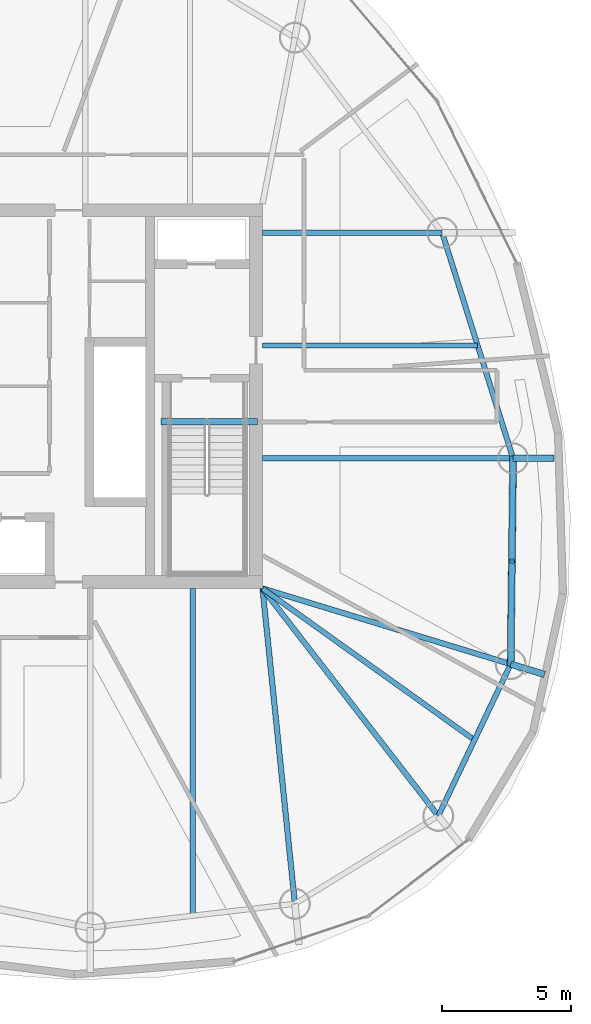
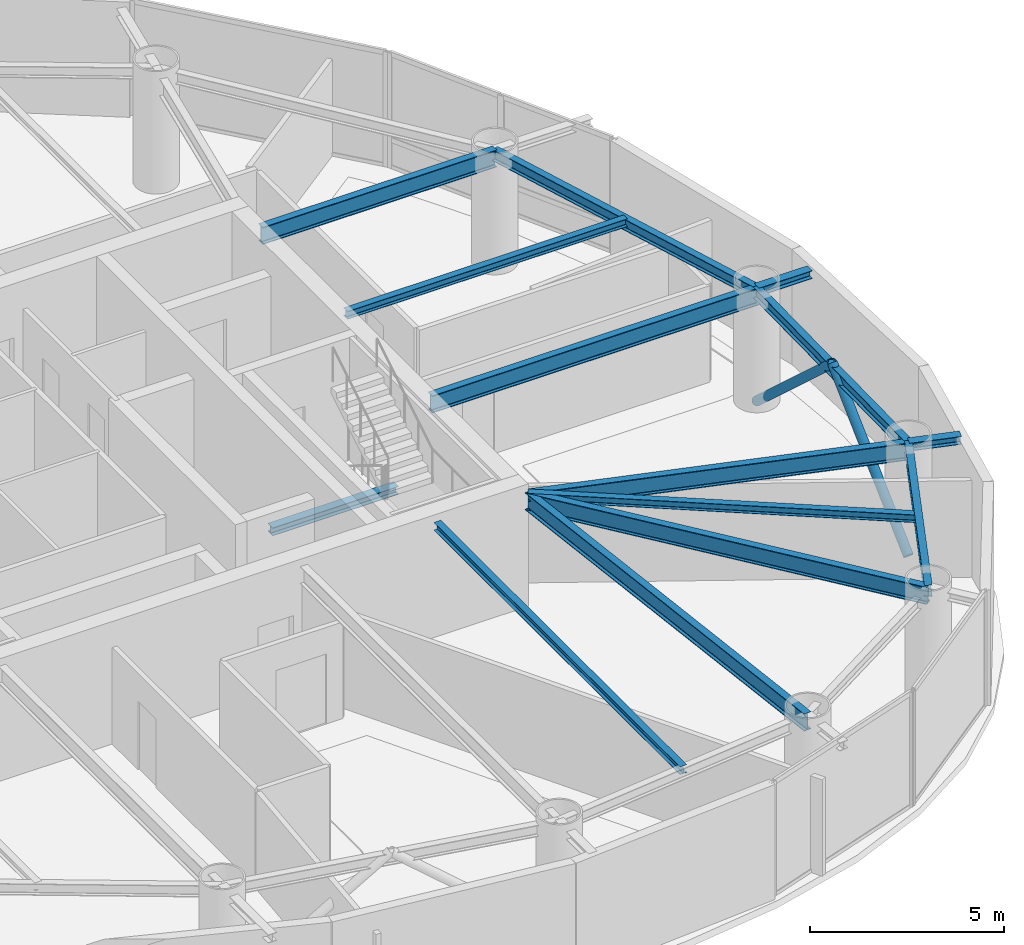
# One storey, part 7 of 19: 14 beams, 2 members.
"""IFC4 building model written with IfcOpenShell, lengths in metres."""

from ifc_helpers import new_model, si_unit, direction, frame, origin, origin_2d, place, context, subcontext, project, spatial, hollow_circle, i_section, extrude, material, material_profile, profile_set, type_object, element, save


model = new_model("IFC4")

# Units and contexts
model_context = context("Model", 3, precision=1e-05, world=origin(), true_north=direction((0.0, 1.0)))
body_context = subcontext(model_context, "Body", "Model", "MODEL_VIEW")
ifc_project = project(units=[si_unit("LENGTHUNIT", "METRE"), si_unit("AREAUNIT", "SQUARE_METRE"), si_unit("VOLUMEUNIT", "CUBIC_METRE"), si_unit("PLANEANGLEUNIT", "RADIAN"), si_unit("MASSUNIT", "GRAM", prefix="KILO")], contexts=[model_context])

# Site, building, storey
site_placement = place(None, origin())
site = spatial("IfcSite", under=ifc_project, at=site_placement, CompositionType="ELEMENT")
building_placement = place(site_placement, origin())
building = spatial("IfcBuilding", under=site, at=building_placement, Name="Bramvorn Convention Spire", CompositionType="ELEMENT")
storey_placement = place(building_placement, frame((0.0, 0.0, 198.14990234375)))
storey = spatial("IfcBuildingStorey", under=building, at=storey_placement, Name="L50", CompositionType="ELEMENT", Elevation=198.14990234375)

# Beams
ifc_material = material(Name="Steel CSA G40.21 Grade 350 (350W)", Category="steel")
ifc_material_profile_1 = material_profile(ifc_material, i_section(OverallWidth=0.201904296875, OverallDepth=0.2470703125, WebThickness=0.00732421875, FlangeThickness=0.010986328125, FilletRadius=0.011962890625, at=origin_2d()))
ifc_profile_set_1 = profile_set([ifc_material_profile_1], Name="Steel CSA G40.21 Grade 350 (350W) - W250X49")
beam_type_1 = type_object("IfcBeamType", Name="BM-W250X49", PredefinedType="JOIST", material=ifc_profile_set_1)
beam_1_placement = place(storey_placement, frame((49.25, 18.550048828125, 3.49658203125), z_axis=(0.813471895271, -0.581604225916, 0.0), x_axis=(0.581604225916, 0.813471895271, 0.0)))
element("IfcBeam", 1, at=beam_1_placement, inside=storey, type_object=beam_type_1, Name="L50 composite floor joist 01", PredefinedType="JOIST", context=body_context, shape_type="SweptSolid", body=[
    extrude(i_section(OverallWidth=0.201904296875, OverallDepth=0.2470703125, WebThickness=0.00732421875, FlangeThickness=0.010986328125, FilletRadius=0.011962890625, at=origin_2d()), origin(), (0.0, 0.0, 1.0), 10.093505859375),
])
beam_2_placement = place(storey_placement, frame((49.25, 27.960205078125, 3.49658203125), z_axis=(1.0, 0.0, 0.0), x_axis=(0.0, 1.0, 0.0)))
element("IfcBeam", 2, at=beam_2_placement, inside=storey, type_object=beam_type_1, Name="L50 composite floor joist 03", PredefinedType="JOIST", context=body_context, shape_type="SweptSolid", body=[
    extrude(i_section(OverallWidth=0.201904296875, OverallDepth=0.2470703125, WebThickness=0.00732421875, FlangeThickness=0.010986328125, FilletRadius=0.011962890625, at=origin_2d()), origin(), (0.0, 0.0, 1.0), 8.33251953125),
])
beam_3_placement = place(storey_placement, frame((46.544189453125, 18.550048828125, 3.49658203125), z_axis=(0.0, -1.0, 0.0), x_axis=(1.0, 0.0, 0.0)))
element("IfcBeam", 3, at=beam_3_placement, inside=storey, type_object=beam_type_1, Name="L50 composite floor joist 15", PredefinedType="JOIST", context=body_context, shape_type="SweptSolid", body=[
    extrude(i_section(OverallWidth=0.201904296875, OverallDepth=0.2470703125, WebThickness=0.00732421875, FlangeThickness=0.010986328125, FilletRadius=0.011962890625, at=origin_2d()), origin(), (0.0, 0.0, 1.0), 12.67626953125),
])
ifc_material_profile_2 = material_profile(ifc_material, i_section(OverallWidth=0.25390625, OverallDepth=0.2529296875, WebThickness=0.008544921875, FlangeThickness=0.01416015625, FilletRadius=0.011962890625, at=origin_2d()))
ifc_profile_set_2 = profile_set([ifc_material_profile_2], Name="Steel CSA G40.21 Grade 350 (350W) - W250X73")
beam_type_2 = type_object("IfcBeamType", Name="BM-W250X73", PredefinedType="BEAM", material=ifc_profile_set_2)
beam_4_placement = place(storey_placement, frame((58.863037109375, 15.619384765625, 3.49365234375), z_axis=(0.956559704468, -0.29153650164, 0.0), x_axis=(0.29153650164, 0.956559704468, 0.0)))
element("IfcBeam", 4, at=beam_4_placement, inside=storey, type_object=beam_type_2, Name="L50 slab-edge cantilever tip beam MC02", PredefinedType="BEAM", context=body_context, shape_type="SweptSolid", body=[
    extrude(i_section(OverallWidth=0.25390625, OverallDepth=0.2529296875, WebThickness=0.008544921875, FlangeThickness=0.01416015625, FilletRadius=0.011962890625, at=origin_2d()), origin(), (0.0, 0.0, 1.0), 1.373291015625),
])
beam_5_placement = place(storey_placement, frame((58.95458984375, 23.593505859375, 3.49365234375), z_axis=(1.0, 0.0, 0.0), x_axis=(0.0, 1.0, 0.0)))
element("IfcBeam", 5, at=beam_5_placement, inside=storey, type_object=beam_type_2, Name="L50 slab-edge cantilever tip beam MC03", PredefinedType="BEAM", context=body_context, shape_type="SweptSolid", body=[
    extrude(i_section(OverallWidth=0.25390625, OverallDepth=0.2529296875, WebThickness=0.008544921875, FlangeThickness=0.01416015625, FilletRadius=0.011962890625, at=origin_2d()), origin(), (0.0, 0.0, 1.0), 1.585693359375),
])
beam_6_placement = place(storey_placement, frame((45.31005859375, 25.010009765625, -0.12646484375), z_axis=(1.0, 0.0, 0.0), x_axis=(0.0, 1.0, 0.0)))
element("IfcBeam", 6, at=beam_6_placement, inside=storey, type_object=beam_type_2, Name="L50 ST2 stair arrival header beam", PredefinedType="BEAM", context=body_context, shape_type="SweptSolid", body=[
    extrude(i_section(OverallWidth=0.25390625, OverallDepth=0.2529296875, WebThickness=0.008544921875, FlangeThickness=0.01416015625, FilletRadius=0.011962890625, at=origin_2d()), origin(), (0.0, 0.0, 1.0), 3.739990234375),
])
ifc_material_profile_3 = material_profile(ifc_material, i_section(OverallWidth=0.205078125, OverallDepth=0.35400390625, WebThickness=0.009521484375, FlangeThickness=0.016845703125, FilletRadius=0.014892578125, at=origin_2d()))
ifc_profile_set_3 = profile_set([ifc_material_profile_3], Name="Steel CSA G40.21 Grade 350 (350W) - W360X79")
beam_type_3 = type_object("IfcBeamType", Name="BM-W360X79", PredefinedType="JOIST", material=ifc_profile_set_3)
beam_7_placement = place(storey_placement, frame((56.058349609375, 9.739990234375, 3.443115234375), z_axis=(0.430556138422, 0.902563799223, 0.0), x_axis=(-0.902563799223, 0.430556138422, 0.0)))
element("IfcBeam", 7, at=beam_7_placement, inside=storey, type_object=beam_type_3, Name="L50 mega-column ring beam 01", PredefinedType="JOIST", context=body_context, shape_type="SweptSolid", body=[
    extrude(i_section(OverallWidth=0.205078125, OverallDepth=0.35400390625, WebThickness=0.009521484375, FlangeThickness=0.016845703125, FilletRadius=0.014892578125, at=origin_2d()), origin(), (0.0, 0.0, 1.0), 6.51416015625),
])
beam_8_placement = place(storey_placement, frame((58.863037109375, 15.619384765625, 3.443115234375), z_axis=(0.011480475367, 0.999934097171, 0.0), x_axis=(-0.999934097171, 0.011480475367, 0.0)))
element("IfcBeam", 8, at=beam_8_placement, inside=storey, type_object=beam_type_3, Name="L50 mega-column ring beam 02", PredefinedType="JOIST", context=body_context, shape_type="SweptSolid", body=[
    extrude(i_section(OverallWidth=0.205078125, OverallDepth=0.35400390625, WebThickness=0.009521484375, FlangeThickness=0.016845703125, FilletRadius=0.014892578125, at=origin_2d()), origin(), (0.0, 0.0, 1.0), 7.974609375),
])
beam_9_placement = place(storey_placement, frame((58.95458984375, 23.593505859375, 3.443115234375), z_axis=(-0.299747542929, 0.954018558786, 0.0), x_axis=(-0.954018558786, -0.299747542929, 0.0)))
element("IfcBeam", 9, at=beam_9_placement, inside=storey, type_object=beam_type_3, Name="L50 mega-column ring beam 03", PredefinedType="JOIST", context=body_context, shape_type="SweptSolid", body=[
    extrude(i_section(OverallWidth=0.205078125, OverallDepth=0.35400390625, WebThickness=0.009521484375, FlangeThickness=0.016845703125, FilletRadius=0.014892578125, at=origin_2d()), origin(), (0.0, 0.0, 1.0), 9.15478515625),
])
ifc_material_profile_4 = material_profile(ifc_material, i_section(OverallWidth=0.2119140625, OverallDepth=0.5439453125, WebThickness=0.01318359375, FlangeThickness=0.021240234375, FilletRadius=0.01904296875, at=origin_2d()))
ifc_profile_set_4 = profile_set([ifc_material_profile_4], Name="Steel CSA G40.21 Grade 350 (350W) - W530X123")
beam_type_4 = type_object("IfcBeamType", Name="BM-W530X123", PredefinedType="BEAM", material=ifc_profile_set_4)
beam_10_placement = place(storey_placement, frame((49.25, 18.550048828125, 3.34814453125), z_axis=(0.611479951477, -0.791259925019, 0.0), x_axis=(0.791259925019, 0.611479951477, 0.0)))
element("IfcBeam", 10, at=beam_10_placement, inside=storey, type_object=beam_type_4, Name="L50 radial floor girder MC01", PredefinedType="BEAM", context=body_context, shape_type="SweptSolid", body=[
    extrude(i_section(OverallWidth=0.2119140625, OverallDepth=0.5439453125, WebThickness=0.01318359375, FlangeThickness=0.021240234375, FilletRadius=0.01904296875, at=origin_2d()), origin(), (0.0, 0.0, 1.0), 11.13427734375),
])
beam_11_placement = place(storey_placement, frame((49.25, 18.550048828125, 3.34814453125), z_axis=(0.95653637984, -0.291613021044, 0.0), x_axis=(0.291613021044, 0.95653637984, 0.0)))
element("IfcBeam", 11, at=beam_11_placement, inside=storey, type_object=beam_type_4, Name="L50 radial floor girder MC02", PredefinedType="BEAM", context=body_context, shape_type="SweptSolid", body=[
    extrude(i_section(OverallWidth=0.2119140625, OverallDepth=0.5439453125, WebThickness=0.01318359375, FlangeThickness=0.021240234375, FilletRadius=0.01904296875, at=origin_2d()), origin(), (0.0, 0.0, 1.0), 10.0498046875),
])
beam_12_placement = place(storey_placement, frame((49.25, 23.593505859375, 3.34814453125), z_axis=(1.0, 0.0, 0.0), x_axis=(0.0, 1.0, 0.0)))
element("IfcBeam", 12, at=beam_12_placement, inside=storey, type_object=beam_type_4, Name="L50 radial floor girder MC03", PredefinedType="BEAM", context=body_context, shape_type="SweptSolid", body=[
    extrude(i_section(OverallWidth=0.2119140625, OverallDepth=0.5439453125, WebThickness=0.01318359375, FlangeThickness=0.021240234375, FilletRadius=0.01904296875, at=origin_2d()), origin(), (0.0, 0.0, 1.0), 9.70458984375),
])
beam_13_placement = place(storey_placement, frame((49.25, 32.327392578125, 3.34814453125), z_axis=(1.0, 0.0, 0.0), x_axis=(0.0, 1.0, 0.0)))
element("IfcBeam", 13, at=beam_13_placement, inside=storey, type_object=beam_type_4, Name="L50 radial floor girder MC04", PredefinedType="BEAM", context=body_context, shape_type="SweptSolid", body=[
    extrude(i_section(OverallWidth=0.2119140625, OverallDepth=0.5439453125, WebThickness=0.01318359375, FlangeThickness=0.021240234375, FilletRadius=0.01904296875, at=origin_2d()), origin(), (0.0, 0.0, 1.0), 6.96044921875),
])
beam_14_placement = place(storey_placement, frame((49.25, 18.550048828125, 3.34814453125), z_axis=(0.10216509146, -0.994767457292, 0.0), x_axis=(0.994767457292, 0.10216509146, 0.0)))
element("IfcBeam", 14, at=beam_14_placement, inside=storey, type_object=beam_type_4, Name="L50 radial floor girder MC16", PredefinedType="BEAM", context=body_context, shape_type="SweptSolid", body=[
    extrude(i_section(OverallWidth=0.2119140625, OverallDepth=0.5439453125, WebThickness=0.01318359375, FlangeThickness=0.021240234375, FilletRadius=0.01904296875, at=origin_2d()), origin(), (0.0, 0.0, 1.0), 12.278076171875),
])

# Members
ifc_material_profile_5 = material_profile(ifc_material, hollow_circle(Radius=0.136474609375, WallThickness=0.0126953125, at=origin_2d()))
ifc_profile_set_5 = profile_set([ifc_material_profile_5], Name="Steel CSA G40.21 Grade 350 (350W) - CHS273X13")
member_type = type_object("IfcMemberType", Name="MBR-CHS273X13", PredefinedType="BRACE", material=ifc_profile_set_5)
for number, where, z_axis, x_axis, name in (
    (15, (58.863037109375, 15.619384765625, 0.0), (0.008522537115, 0.740327412931, 0.672192448652), (-0.999933745256, 0.011511085917, 0.0), "L50 perimeter Gothic lancet brace 2A"),
    (16, (58.95458984375, 23.593505859375, 0.0), (-0.008477207738, -0.740327698195, 0.672192707662), (0.99993444815, -0.011449864785, 0.0), "L50 perimeter Gothic lancet brace 2B"),
):
    element("IfcMember", number, at=place(storey_placement, frame(where, z_axis=z_axis, x_axis=x_axis)), inside=storey, type_object=member_type, Name=name, PredefinedType="BRACE", context=body_context, shape_type="SweptSolid", body=[
        extrude(hollow_circle(Radius=0.136474609375, WallThickness=0.0126953125, at=origin_2d()), origin(), (0.0, 0.0, 1.0), 5.385498046875),
    ])

save(model, "model.ifc")
